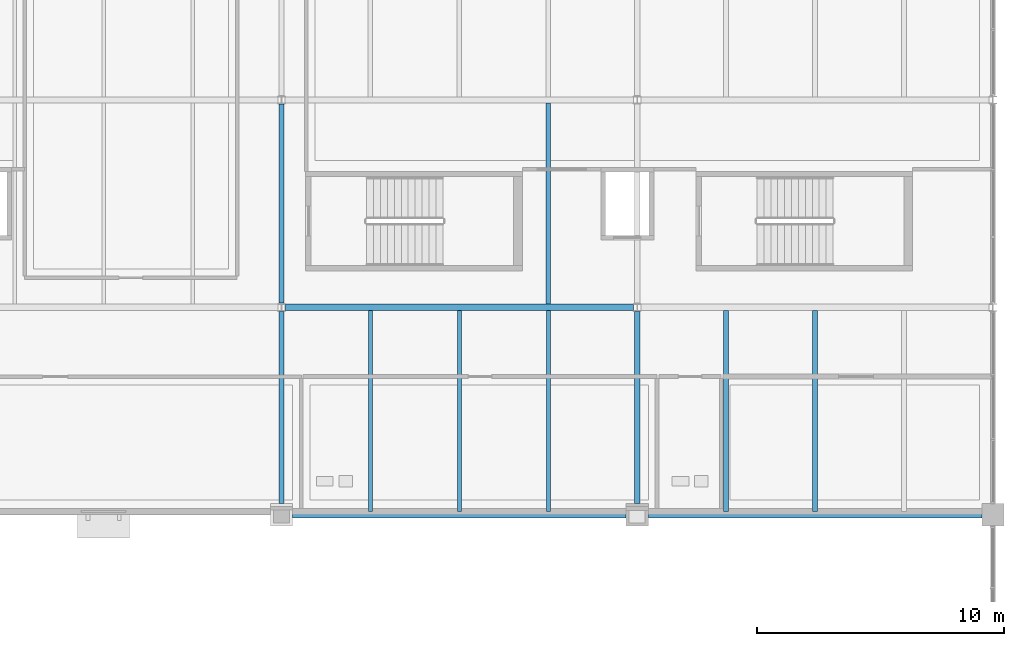
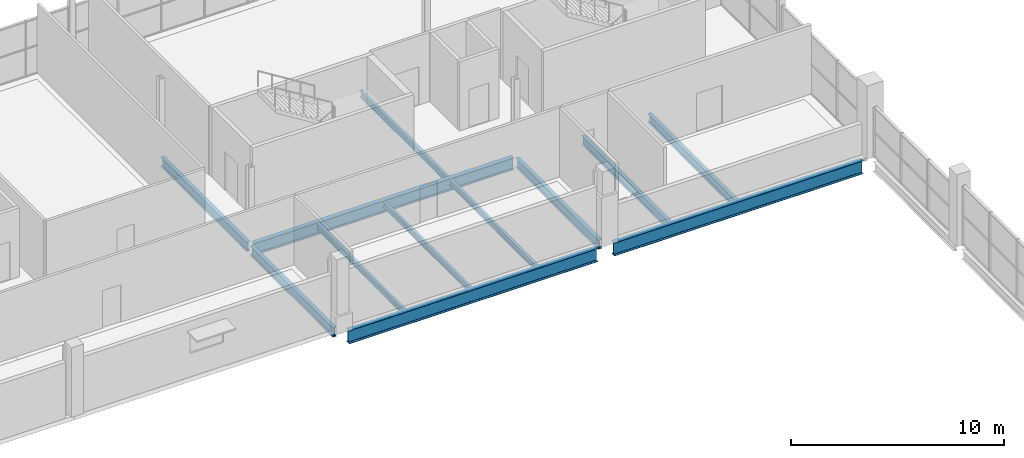
# One storey, part 41 of 68: 12 beams.
"""IFC4 building model written with IfcOpenShell, lengths in metres."""

import ifcopenshell
import ifcopenshell.guid

model = None  # the IFC model being written
_history = None  # IfcOwnerHistory: only IFC2X3 demands one
_inside = {}  # id of a spatial element -> (the spatial element, [elements in it])
_under = {}  # id of a project, library or spatial element -> (it, [spatial elements below it])
_declared = {}  # id of a project -> (the project, [libraries it declares])
_typed = {}  # id of a type object -> (the type object, [elements of that type])
_made_of = {}  # id of a material, layer set ... -> (it, [elements and type objects made of it])


def new_model(schema):
    """Start an empty IFC model of exactly this schema.

    Asked for "IFC4X3", IfcOpenShell would pick the latest addendum, in which some entities
    have other attributes; the version numbers below select the first issue.
    IFC2X3 requires an IfcOwnerHistory on every rooted entity: one is made here for all.
    """
    global model, _history
    if schema == "IFC4X3":
        model = ifcopenshell.file(schema_version=(4, 3, 0, 0))
    else:
        model = ifcopenshell.file(schema=schema)
    _inside.clear()
    _under.clear()
    _declared.clear()
    _typed.clear()
    _made_of.clear()
    _history = None
    if model.schema == "IFC2X3":
        org = make("IfcOrganization", Name="unknown")
        user = make(
            "IfcPersonAndOrganization",
            ThePerson=make("IfcPerson", FamilyName="unknown"),
            TheOrganization=org,
        )
        app = make(
            "IfcApplication",
            ApplicationDeveloper=org,
            Version="unknown",
            ApplicationFullName="unknown",
            ApplicationIdentifier="unknown",
        )
        _history = make(
            "IfcOwnerHistory",
            OwningUser=user,
            OwningApplication=app,
            ChangeAction="ADDED",
            CreationDate=0,
        )
    return model


def make(cls, **values):
    """One entity of the class cls with the attributes given. An attribute that is None is left unset."""
    return model.create_entity(
        cls, **{name: value for name, value in values.items() if value is not None}
    )


def rooted(cls, **values):
    """An entity with a GlobalId (a new one), such as an element, a storey or a relation."""
    return make(cls, GlobalId=ifcopenshell.guid.new(), OwnerHistory=_history, **values)


def si_unit(unit_type, name, prefix=None):
    """IfcSIUnit, for example si_unit("LENGTHUNIT", "METRE", prefix="MILLI")."""
    return make("IfcSIUnit", UnitType=unit_type, Prefix=prefix, Name=name)


def assignment(units):
    """IfcUnitAssignment: the units of a project."""
    return None if units is None else make("IfcUnitAssignment", Units=units)


def point(xyz):
    """IfcCartesianPoint."""
    return None if xyz is None else make("IfcCartesianPoint", Coordinates=xyz)


def direction(xyz):
    """IfcDirection."""
    return None if xyz is None else make("IfcDirection", DirectionRatios=xyz)


def frame(location, z_axis=None, x_axis=None):
    """IfcAxis2Placement3D, a coordinate frame: its origin and axes. An axis left out is left unset."""
    return make(
        "IfcAxis2Placement3D",
        Location=point(location),
        Axis=direction(z_axis),
        RefDirection=direction(x_axis),
    )


def frame_2d(location, x_axis=None):
    """IfcAxis2Placement2D, a coordinate frame in the plane: its origin and x axis."""
    return make(
        "IfcAxis2Placement2D", Location=point(location), RefDirection=direction(x_axis)
    )


def origin():
    """The frame at (0, 0, 0) with its axes left unset."""
    return frame((0.0, 0.0, 0.0))


def origin_2d():
    """The frame at (0, 0) in the plane with its x axis left unset."""
    return frame_2d((0.0, 0.0))


def place(relative_to, where):
    """IfcLocalPlacement: puts the frame where relative to a parent placement (None: the world)."""
    return make(
        "IfcLocalPlacement", PlacementRelTo=relative_to, RelativePlacement=where
    )


def context(
    kind, dimensions, precision=None, world=None, true_north=None, identifier=None
):
    """IfcGeometricRepresentationContext, for example the 3D "Model" context."""
    return make(
        "IfcGeometricRepresentationContext",
        ContextIdentifier=identifier,
        ContextType=kind,
        CoordinateSpaceDimension=dimensions,
        Precision=precision,
        WorldCoordinateSystem=world,
        TrueNorth=true_north,
    )


def subcontext(parent, identifier, kind, view, scale=None):
    """IfcGeometricRepresentationSubContext, for example "Body" below "Model"."""
    return make(
        "IfcGeometricRepresentationSubContext",
        ContextIdentifier=identifier,
        ContextType=kind,
        ParentContext=parent,
        TargetScale=scale,
        TargetView=view,
    )


def project(units=None, contexts=None):
    """IfcProject with its units and contexts."""
    return rooted(
        "IfcProject",
        Name="project",
        RepresentationContexts=contexts,
        UnitsInContext=assignment(units),
    )


def spatial(cls, under=None, at=None, **own):
    """A site, building, storey or space (cls), placed at a placement, below another one or the project."""
    s = rooted(cls, ObjectPlacement=at, **own)
    if under is not None:
        _under.setdefault(under.id(), (under, []))[1].append(s)
    return s


def profile(cls, at=None, kind="AREA", **sizes):
    """A parametric profile (cls). Its sizes go by their IFC names, for example OverallWidth=200.0."""
    return make(cls, ProfileType=kind, Position=at, **sizes)


def i_section(**sizes):
    """IfcIShapeProfileDef."""
    return profile("IfcIShapeProfileDef", **sizes)


def extrude(swept, where, along, depth):
    """IfcExtrudedAreaSolid: the profile swept, set in the frame where, extruded along a direction by depth."""
    return make(
        "IfcExtrudedAreaSolid",
        SweptArea=swept,
        Position=where,
        ExtrudedDirection=direction(along),
        Depth=depth,
    )


def shape(context_of_items, identifier, shape_type, items):
    """IfcShapeRepresentation: the items that make up one representation, for example the "Body"."""
    return make(
        "IfcShapeRepresentation",
        ContextOfItems=context_of_items,
        RepresentationIdentifier=identifier,
        RepresentationType=shape_type,
        Items=items,
    )


def material(Name=None, Category=None):
    """IfcMaterial."""
    return make("IfcMaterial", Name=Name, Category=Category)


def material_profile(
    of_material, cross_section, Name=None, Category=None, Priority=None
):
    """IfcMaterialProfile: a cross section and its material."""
    return make(
        "IfcMaterialProfile",
        Name=Name,
        Material=of_material,
        Profile=cross_section,
        Priority=Priority,
        Category=Category,
    )


def profile_set(profiles, Name=None, composite=None):
    """IfcMaterialProfileSet."""
    return make(
        "IfcMaterialProfileSet",
        Name=Name,
        MaterialProfiles=profiles,
        CompositeProfile=composite,
    )


def made_of(thing, what):
    """Note that an element or type object is made of a material, layer set ...; save() writes the relation."""
    if what is not None:
        _made_of.setdefault(what.id(), (what, []))[1].append(thing)
    return thing


def type_object(cls, material=None, **own):
    """A type object (cls), such as IfcWallType, which elements share."""
    return made_of(rooted(cls, **own), material)


def element(
    cls,
    number,
    at=None,
    inside=None,
    cuts=None,
    type_object=None,
    material=None,
    context=None,
    identifier="Body",
    shape_type=None,
    held_by="IfcProductDefinitionShape",
    body=None,
    shapes=None,
    **own,
):
    """One element of the class cls, such as IfcWall. Its Tag is "e" and its number.

    at: its placement. inside: the storey or other place that contains it. cuts: it is an
    opening in that element (IfcRelVoidsElement). A single representation is given by context,
    identifier, shape_type and body (its items); several are given by shapes. held_by: the class
    of the entity that holds the representations. save() writes the other relations.
    """
    e = rooted(cls, Tag="e%d" % number, ObjectPlacement=at, **own)
    if body is not None:
        shapes = [shape(context, identifier, shape_type, body)]
    if shapes is not None:
        e.Representation = make(held_by, Representations=shapes)
    if inside is not None:
        _inside.setdefault(inside.id(), (inside, []))[1].append(e)
    if cuts is not None:
        rooted(
            "IfcRelVoidsElement", RelatingBuildingElement=cuts, RelatedOpeningElement=e
        )
    if type_object is not None:
        _typed.setdefault(type_object.id(), (type_object, []))[1].append(e)
    return made_of(e, material)


def aggregate(whole, parts):
    """IfcRelAggregates: a whole, such as a stair, and the parts it consists of."""
    return rooted("IfcRelAggregates", RelatingObject=whole, RelatedObjects=parts)


def save(model, path):
    """Write the relations noted so far, then the file.

    IfcRelAggregates (storeys below a building ...), IfcRelContainedInSpatialStructure (elements
    in a storey), IfcRelDefinesByType, IfcRelAssociatesMaterial and IfcRelDeclares: one each for
    every whole, place, type object, material and project.
    """
    for whole, parts in _under.values():
        aggregate(whole, parts)
    for where, things in _inside.values():
        rooted(
            "IfcRelContainedInSpatialStructure",
            RelatedElements=things,
            RelatingStructure=where,
        )
    for kind, things in _typed.values():
        rooted("IfcRelDefinesByType", RelatedObjects=things, RelatingType=kind)
    for what, things in _made_of.values():
        rooted("IfcRelAssociatesMaterial", RelatedObjects=things, RelatingMaterial=what)
    for by, libraries in _declared.values():
        rooted("IfcRelDeclares", RelatingContext=by, RelatedDefinitions=libraries)
    model.write(path)


model = new_model("IFC4")

# Units and contexts
model_context = context("Model", 3, precision=1e-05, world=origin(), true_north=direction((0.0, 1.0)))
body_context = subcontext(model_context, "Body", "Model", "MODEL_VIEW")
ifc_project = project(units=[si_unit("LENGTHUNIT", "METRE"), si_unit("AREAUNIT", "SQUARE_METRE"), si_unit("VOLUMEUNIT", "CUBIC_METRE"), si_unit("PLANEANGLEUNIT", "RADIAN"), si_unit("MASSUNIT", "GRAM", prefix="KILO"), si_unit("THERMODYNAMICTEMPERATUREUNIT", "KELVIN")], contexts=[model_context])

# Site, building, storey
site_placement = place(None, origin())
site = spatial("IfcSite", under=ifc_project, at=site_placement, CompositionType="ELEMENT")
building_placement = place(site_placement, origin())
building = spatial("IfcBuilding", under=site, at=building_placement, Name="Nduvali Passage Aquatics Centre", CompositionType="ELEMENT")
storey_placement = place(building_placement, frame((0.0, 0.0, 13.199951171875)))
storey = spatial("IfcBuildingStorey", under=building, at=storey_placement, Name="L03", CompositionType="ELEMENT", Elevation=13.199951171875)

# Beams
ifc_material = material(Name="Steel S355", Category="steel")
ifc_material_profile_1 = material_profile(ifc_material, i_section(OverallWidth=0.210693359375, OverallDepth=0.53955078125, WebThickness=0.01171875, FlangeThickness=0.018798828125, FilletRadius=0.0126953125, at=origin_2d()), Name="UKB 533x210x109")
ifc_profile_set_1 = profile_set([ifc_material_profile_1], Name="Steel S355")
beam_type_1 = type_object("IfcBeamType", Name="STR-BM-UKB533", PredefinedType="BEAM", material=ifc_profile_set_1)
beam_1_placement = place(storey_placement, frame((97.199951171875, 92.85009765625, -0.523681640625), z_axis=(0.0, 1.0, 0.0), x_axis=(-1.0, 0.0, 0.0)))
element("IfcBeam", 1, at=beam_1_placement, inside=storey, type_object=beam_type_1, Name="L03 Primary Y-Girder B6-1267", PredefinedType="BEAM", context=body_context, shape_type="SweptSolid", body=[
    extrude(i_section(OverallWidth=0.210693359375, OverallDepth=0.53955078125, WebThickness=0.01171875, FlangeThickness=0.018798828125, FilletRadius=0.0126953125, at=origin_2d()), origin(), (0.0, 0.0, 1.0), 7.77490234375),
])
beam_2_placement = place(storey_placement, frame((97.199951171875, 100.97509765625, -0.523681640625), z_axis=(0.0, 1.0, 0.0), x_axis=(-1.0, 0.0, 0.0)))
element("IfcBeam", 2, at=beam_2_placement, inside=storey, type_object=beam_type_1, Name="L03 Primary Y-Girder B6-1268", PredefinedType="BEAM", context=body_context, shape_type="SweptSolid", body=[
    extrude(i_section(OverallWidth=0.210693359375, OverallDepth=0.53955078125, WebThickness=0.01171875, FlangeThickness=0.018798828125, FilletRadius=0.0126953125, at=origin_2d()), origin(), (0.0, 0.0, 1.0), 8.054931640625),
])
beam_3_placement = place(storey_placement, frame((111.60009765625, 92.85009765625, -0.523681640625), z_axis=(0.0, 1.0, 0.0), x_axis=(-1.0, 0.0, 0.0)))
element("IfcBeam", 3, at=beam_3_placement, inside=storey, type_object=beam_type_1, Name="L03 Primary Y-Girder B6-1270", PredefinedType="BEAM", context=body_context, shape_type="SweptSolid", body=[
    extrude(i_section(OverallWidth=0.210693359375, OverallDepth=0.53955078125, WebThickness=0.01171875, FlangeThickness=0.018798828125, FilletRadius=0.0126953125, at=origin_2d()), origin(), (0.0, 0.0, 1.0), 7.77490234375),
])
ifc_material_profile_2 = material_profile(ifc_material, i_section(OverallWidth=0.253662109375, OverallDepth=0.68359375, WebThickness=0.012451171875, FlangeThickness=0.01904296875, FilletRadius=0.01513671875, at=origin_2d()), Name="UKB 686x254x140")
ifc_profile_set_2 = profile_set([ifc_material_profile_2], Name="Steel S355")
beam_type_2 = type_object("IfcBeamType", Name="STR-BM-UKB686", PredefinedType="BEAM", material=ifc_profile_set_2)
beam_4_placement = place(storey_placement, frame((97.35009765625, 100.800048828125, -0.595703125), z_axis=(1.0, 0.0, 0.0), x_axis=(0.0, 1.0, 0.0)))
element("IfcBeam", 4, at=beam_4_placement, inside=storey, type_object=beam_type_2, Name="L03 Primary X-Girder B4-1225", PredefinedType="BEAM", context=body_context, shape_type="SweptSolid", body=[
    extrude(i_section(OverallWidth=0.253662109375, OverallDepth=0.68359375, WebThickness=0.012451171875, FlangeThickness=0.01904296875, FilletRadius=0.01513671875, at=origin_2d()), origin(), (0.0, 0.0, 1.0), 14.099853515625),
])
ifc_material_profile_3 = material_profile(ifc_material, i_section(OverallWidth=0.2666015625, OverallDepth=0.76220703125, WebThickness=0.014404296875, FlangeThickness=0.021484375, FilletRadius=0.0166015625, at=origin_2d()), Name="UKB 762x267x173")
ifc_profile_set_3 = profile_set([ifc_material_profile_3], Name="Steel S355")
beam_type_3 = type_object("IfcBeamType", Name="STR-BM-UKB762-EXT", PredefinedType="BEAM", material=ifc_profile_set_3)
for number, where, z_axis, x_axis, name in (
    (5, (97.64990234375, 92.39990234375, -0.635009765625), (1.0, 0.0, 0.0), (0.0, 1.0, 0.0), "L03 Primary X-Girder B4CE-1219"),
    (6, (112.050048828125, 92.39990234375, -0.635009765625), (1.0, 0.0, 0.0), (0.0, 1.0, 0.0), "L03 Primary X-Girder B4CE-1220"),
):
    element("IfcBeam", number, at=place(storey_placement, frame(where, z_axis=z_axis, x_axis=x_axis)), inside=storey, type_object=beam_type_3, Name=name, PredefinedType="BEAM", context=body_context, shape_type="SweptSolid", body=[
        extrude(i_section(OverallWidth=0.2666015625, OverallDepth=0.76220703125, WebThickness=0.014404296875, FlangeThickness=0.021484375, FilletRadius=0.0166015625, at=origin_2d()), origin(), (0.0, 0.0, 1.0), 13.5),
    ])
ifc_material_profile_4 = material_profile(ifc_material, i_section(OverallWidth=0.159912109375, OverallDepth=0.330078125, WebThickness=0.007568359375, FlangeThickness=0.011474609375, FilletRadius=0.01806640625, at=origin_2d()), Name="IPE 330")
ifc_profile_set_4 = profile_set([ifc_material_profile_4], Name="Steel S355")
beam_type_4 = type_object("IfcBeamType", Name="STR-JST-IPE330", PredefinedType="JOIST", material=ifc_profile_set_4)
for number, where, z_axis, x_axis, name in (
    (7, (100.800048828125, 92.533203125, -0.4189453125), (0.0, 1.0, 0.0), (-1.0, 0.0, 0.0), "L03 Secondary Joist J6A-1290"),
    (8, (104.39990234375, 92.533203125, -0.4189453125), (0.0, 1.0, 0.0), (-1.0, 0.0, 0.0), "L03 Secondary Joist J6A-1291"),
    (9, (108.0, 92.533203125, -0.4189453125), (0.0, 1.0, 0.0), (-1.0, 0.0, 0.0), "L03 Secondary Joist J6A-1292"),
):
    element("IfcBeam", number, at=place(storey_placement, frame(where, z_axis=z_axis, x_axis=x_axis)), inside=storey, type_object=beam_type_4, Name=name, PredefinedType="JOIST", context=body_context, shape_type="SweptSolid", body=[
        extrude(i_section(OverallWidth=0.159912109375, OverallDepth=0.330078125, WebThickness=0.007568359375, FlangeThickness=0.011474609375, FilletRadius=0.01806640625, at=origin_2d()), origin(), (0.0, 0.0, 1.0), 8.139892578125),
    ])
ifc_material_profile_5 = material_profile(ifc_material, i_section(OverallWidth=0.199951171875, OverallDepth=0.5, WebThickness=0.01025390625, FlangeThickness=0.01611328125, FilletRadius=0.02099609375, at=origin_2d()), Name="IPE 500")
ifc_profile_set_5 = profile_set([ifc_material_profile_5], Name="Steel S355")
beam_type_5 = type_object("IfcBeamType", Name="STR-JST-IPE500", PredefinedType="JOIST", material=ifc_profile_set_5)
for number, where, z_axis, x_axis, name in (
    (10, (115.199951171875, 92.533203125, -0.50390625), (0.0, 1.0, 0.0), (-1.0, 0.0, 0.0), "L03 Secondary Joist J5A-1293"),
    (11, (118.800048828125, 92.533203125, -0.50390625), (0.0, 1.0, 0.0), (-1.0, 0.0, 0.0), "L03 Secondary Joist J5A-1294"),
):
    element("IfcBeam", number, at=place(storey_placement, frame(where, z_axis=z_axis, x_axis=x_axis)), inside=storey, type_object=beam_type_5, Name=name, PredefinedType="JOIST", context=body_context, shape_type="SweptSolid", body=[
        extrude(i_section(OverallWidth=0.199951171875, OverallDepth=0.5, WebThickness=0.01025390625, FlangeThickness=0.01611328125, FilletRadius=0.02099609375, at=origin_2d()), origin(), (0.0, 0.0, 1.0), 8.139892578125),
    ])
ifc_material_profile_6 = material_profile(ifc_material, i_section(OverallWidth=0.172119140625, OverallDepth=0.35791015625, WebThickness=0.008056640625, FlangeThickness=0.012939453125, FilletRadius=0.01025390625, at=origin_2d()), Name="UKB 356x171x57")
ifc_profile_set_6 = profile_set([ifc_material_profile_6], Name="Steel S355")
beam_type_6 = type_object("IfcBeamType", Name="STR-JST-UKB356", PredefinedType="JOIST", material=ifc_profile_set_6)
beam_5_placement = place(storey_placement, frame((108.0, 100.9267578125, -0.432861328125), z_axis=(0.0, 1.0, 0.0), x_axis=(-1.0, 0.0, 0.0)))
element("IfcBeam", 12, at=beam_5_placement, inside=storey, type_object=beam_type_6, Name="L03 Secondary Joist J2-1302", PredefinedType="JOIST", context=body_context, shape_type="SweptSolid", body=[
    extrude(i_section(OverallWidth=0.172119140625, OverallDepth=0.35791015625, WebThickness=0.008056640625, FlangeThickness=0.012939453125, FilletRadius=0.01025390625, at=origin_2d()), origin(), (0.0, 0.0, 1.0), 8.146484375),
])

save(model, "model.ifc")
